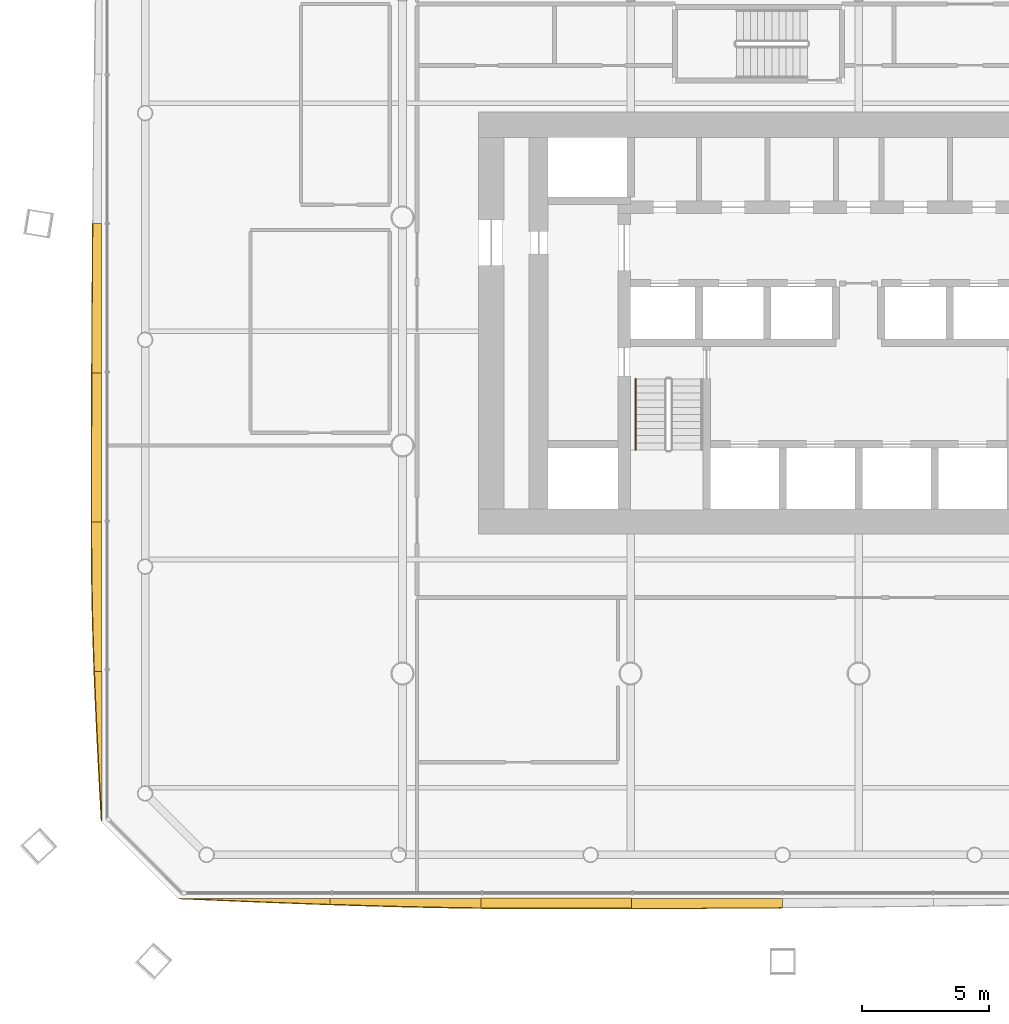
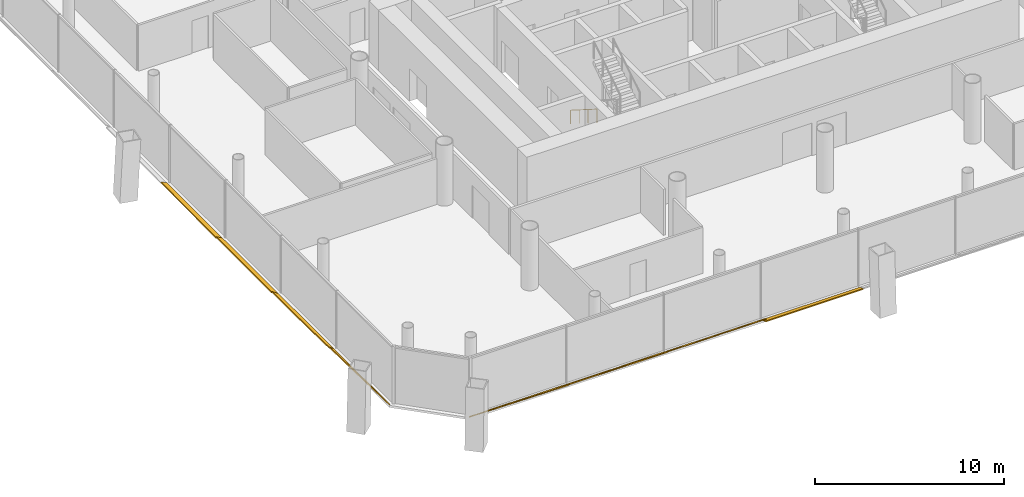
# One storey, part 17 of 21: 8 shading devices, 1 railing.
"""IFC4 building model written with IfcOpenShell, lengths in metres."""

from ifc_helpers import new_model, si_unit, direction, frame, origin, origin_2d, place, context, subcontext, project, spatial, polyline, circle, outline, extrude, material, layer, layer_set, type_object, element, save


model = new_model("IFC4")

# Units and contexts
model_context = context("Model", 3, precision=1e-05, world=origin(), true_north=direction((0.0, 1.0)))
body_context = subcontext(model_context, "Body", "Model", "MODEL_VIEW")
ifc_project = project(units=[si_unit("LENGTHUNIT", "METRE"), si_unit("AREAUNIT", "SQUARE_METRE"), si_unit("VOLUMEUNIT", "CUBIC_METRE"), si_unit("PLANEANGLEUNIT", "RADIAN"), si_unit("MASSUNIT", "GRAM", prefix="KILO")], contexts=[model_context])

# Site, building, storey
site_placement = place(None, origin())
site = spatial("IfcSite", under=ifc_project, at=site_placement, CompositionType="ELEMENT")
building_placement = place(site_placement, origin())
building = spatial("IfcBuilding", under=site, at=building_placement, Name="Tskaro Facet Tower", CompositionType="ELEMENT")
storey_placement = place(building_placement, frame((0.0, 0.0, 42.0)))
storey = spatial("IfcBuildingStorey", under=building, at=storey_placement, Name="L09", CompositionType="ELEMENT", Elevation=42.0)

# Shading devices
ifc_material_1 = material(Name="Bronze anodised aluminium 6063-T6", Category="aluminium")
ifc_layer = layer(ifc_material_1, 0.06005859375, Name="Bronze anodised aluminium 6063-T6")
ifc_layer_set = layer_set([ifc_layer], Name="Bronze anodised aluminium 6063-T6")
shading_device_type = type_object("IfcShadingDeviceType", Name="Bronze sun blade (FN1)", PredefinedType="USERDEFINED", material=ifc_layer_set)
shading_device_1_placement = place(storey_placement, frame((-26.81689453125, -26.8740234375, 0.052001953125), z_axis=(-3.9782023e-05, 0.499534604439, 0.866293932442), x_axis=(0.999999999209, 1.9872497e-05, 3.4462925e-05)))
element("IfcShadingDevice", 1, at=shading_device_1_placement, inside=storey, type_object=shading_device_type, Name="Fin blade south 1", ObjectType="FIN", PredefinedType="USERDEFINED", context=body_context, shape_type="SweptSolid", body=[
    extrude(outline(polyline([(0.0, 0.0), (5.954101557788492, -2.017328077894324e-20), (5.95410156725189, -0.2718135074285527), (5.209960935463617, -0.24183345312894022), (4.46557616691924, -0.21021854350382327), (3.721191405805682, -0.1773022327861027), (2.977050779482266, -0.14317406182741238), (2.232666010261495, -0.10816748486065314), (1.4885253878067815, -0.07240445857645841), (0.7441406211651455, -0.03630797805936288), (0.0, 0.0)])), origin(), (0.0, 0.0, -1.0), 0.06005859375),
])
shading_device_2_placement = place(storey_placement, frame((-20.86279296875, -26.86962890625, 0.049072265625), z_axis=(6.092133e-06, 0.573784491429, 0.819006323149), x_axis=(0.999999999981, -3.495571e-06, -4.989495e-06)))
element("IfcShadingDevice", 2, at=shading_device_2_placement, inside=storey, type_object=shading_device_type, Name="Fin blade south 2", ObjectType="FIN", PredefinedType="USERDEFINED", context=body_context, shape_type="SweptSolid", body=[
    extrude(outline(polyline([(0.0, 0.0), (5.954345703014505, 0.0), (5.954345702903096, -0.4620580465352414), (5.209960937992803, -0.44945750934869444), (4.465820311628818, -0.43381698766423576), (3.7214355463395172, -0.41559625552435875), (2.977050781896488, -0.3945953602134472), (2.232910156488448, -0.3710944699402119), (1.4885253905722284, -0.3454934901358855), (0.7443847657625472, -0.31745238398049613), (-7.734520462914109e-10, -0.28745127239837104), (0.0, 0.0)])), origin(), (0.0, 0.0, -1.0), 0.06005859375),
])
shading_device_3_placement = place(storey_placement, frame((-14.908447265625, -26.865478515625, 0.0458984375), z_axis=(9.623515e-06, 0.642903480409, 0.765947201043), x_axis=(0.999999999954, -6.186991e-06, -7.371104e-06)))
element("IfcShadingDevice", 3, at=shading_device_3_placement, inside=storey, type_object=shading_device_type, Name="Fin blade south 3", ObjectType="FIN", PredefinedType="USERDEFINED", context=body_context, shape_type="SweptSolid", body=[
    extrude(outline(polyline([(0.0, 0.0), (5.95410156222429, -5.04332019473581e-21), (5.954101563395129, -0.5105248275969676), (5.209960936405956, -0.5129325313983885), (4.46557617088047, -0.514839318656363), (3.7214355465581543, -0.516058190542503), (2.9770507806785345, -0.5164021482284202), (2.7626953119384603, -0.5164021482284202), (2.232910156291173, -0.5157142328565858), (1.4885253908596414, -0.5115567006547194), (0.7441406262303352, -0.5044605081371267), (7.250711042060639e-12, -0.49405165764703113), (0.0, 0.0)])), origin(), (0.0, 0.0, -1.0), 0.06005859375),
])
shading_device_4_placement = place(storey_placement, frame((-8.954345703125, -26.883544921875, 0.056396484375), z_axis=(-7.30497e-06, 0.341956650434, 0.939715727851), x_axis=(0.999999999973, 2.497983e-06, 6.864596e-06)))
element("IfcShadingDevice", 4, at=shading_device_4_placement, inside=storey, type_object=shading_device_type, Name="Fin blade south 4", ObjectType="FIN", PredefinedType="USERDEFINED", context=body_context, shape_type="SweptSolid", body=[
    extrude(outline(polyline([(0.0, 0.0), (5.954345702966131, 0.0), (5.954345703703752, -0.38168681939381605), (5.2099609374792655, -0.38763142753461083), (4.465820312489631, -0.39334661289027967), (3.7214355470286544, -0.3982900443802083), (2.977294921126604, -0.4029205675746489), (2.232910156429137, -0.40686282241371147), (1.4887695312905964, -0.41049216895728596), (0.744384765070854, -0.4135791844202464), (7.082993161423237e-11, -0.41620735431295475), (0.0, 0.0)])), origin(), (0.0, 0.0, -1.0), 0.06005859375),
])
shading_device_5_placement = place(storey_placement, frame((-29.878662109375, -0.239013671875, 0.054443359375), z_axis=(0.422555478764, 1.617902e-06, 0.906337060571), x_axis=(6.83654e-07, -0.999999999999, 1.466365e-06)))
element("IfcShadingDevice", 5, at=shading_device_5_placement, inside=storey, type_object=shading_device_type, Name="Fin blade west 5", ObjectType="FIN", PredefinedType="USERDEFINED", context=body_context, shape_type="SweptSolid", body=[
    extrude(outline(polyline([(0.0, 0.0), (5.894531249992285, 6.241077721712594e-22), (5.894531250048789, -0.4199651636946721), (5.157714843797373, -0.41592391753746266), (4.420898437354865, -0.41155823472514175), (3.68408203141308, -0.4065287308235348), (2.9472656249222045, -0.4010716273081337), (2.2104492185982356, -0.39539325009630394), (1.4736328126080824, -0.3892723254916168), (0.7368164062357457, -0.3825025275767068), (3.0316699937671256e-11, -0.37551145596536806), (0.0, 0.0)])), origin(), (0.0, 0.0, -1.0), 0.06005859375),
])
shading_device_6_placement = place(storey_placement, frame((-29.8740234375, -6.133544921875, 0.052001953125), z_axis=(0.499922735931, -3.892958e-06, 0.866070007611), x_axis=(-1.946178e-06, -0.999999999992, -3.371574e-06)))
element("IfcShadingDevice", 6, at=shading_device_6_placement, inside=storey, type_object=shading_device_type, Name="Fin blade west 6", ObjectType="FIN", PredefinedType="USERDEFINED", context=body_context, shape_type="SweptSolid", body=[
    extrude(outline(polyline([(0.0, 0.0), (5.894531249955334, -2.4964310886850375e-21), (5.894531250049783, -0.4566555591895064), (5.157714844153364, -0.45632206486734994), (4.4208984376546585, -0.4552321904771298), (3.6840820315039506, -0.4538088217647533), (2.9472656244029602, -0.4519625673064695), (2.2104492184731055, -0.4496607670768264), (1.4736328124161062, -0.44681402965207323), (0.736816406231963, -0.44342235503221), (-7.932427094410248e-11, -0.43948574321723677), (0.0, 0.0)])), origin(), (0.0, 0.0, -1.0), 0.06005859375),
])
shading_device_7_placement = place(storey_placement, frame((-29.86962890625, -12.028076171875, 0.049072265625), z_axis=(0.573799328992, -3.168281e-06, 0.818995927974), x_axis=(-1.817957e-06, -0.999999999995, -2.594809e-06)))
element("IfcShadingDevice", 7, at=shading_device_7_placement, inside=storey, type_object=shading_device_type, Name="Fin blade west 7", ObjectType="FIN", PredefinedType="USERDEFINED", context=body_context, shape_type="SweptSolid", body=[
    extrude(outline(polyline([(0.0, 0.0), (5.894531249970416, 1.2482155443425188e-21), (5.894531250110083, -0.3502336579925002), (5.157714843841993, -0.38213490651991566), (4.420898437505505, -0.4101760131956045), (3.68408203084644, -0.4338169899373032), (2.947265624942137, -0.4531176991959358), (2.2104492189049174, -0.4676782406160438), (1.4736328127347837, -0.4774986141976273), (0.7368164059878983, -0.4823788697629571), (0.3771972656188794, -0.4829188578452207), (-4.2274308136434116e-12, -0.4829188578452207), (0.0, 0.0)])), origin(), (0.0, 0.0, -1.0), 0.06005859375),
])
shading_device_8_placement = place(storey_placement, frame((-29.865478515625, -17.922607421875, 0.0458984375), z_axis=(0.643262528401, 3.7158703e-05, 0.7656456871), x_axis=(2.3902801e-05, -0.99999999931, 2.8450401e-05)))
element("IfcShadingDevice", 8, at=shading_device_8_placement, inside=storey, type_object=shading_device_type, Name="Fin blade west 8", ObjectType="FIN", PredefinedType="USERDEFINED", context=body_context, shape_type="SweptSolid", body=[
    extrude(outline(polyline([(0.0, 0.0), (5.894287105305676, 0.0), (5.157470701052617, -0.052328154724527454), (4.42065429457905, -0.10396836598398), (3.6838378917206214, -0.15473370856165153), (2.947021483310924, -0.20377919247663578), (2.210449215810434, -0.2509178925122267), (1.473632811584625, -0.29527493998664317), (0.7368164043124311, -0.3366932883840539), (-8.226655577647675e-09, -0.374484994239384), (0.0, 0.0)])), origin(), (0.0, 0.0, -1.0), 0.06005859375),
])

# Railing
ifc_material_2 = material(Name="Stainless steel", Category="steel")
railing_type = type_object("IfcRailingType", Name="RL-HANDRAIL-900", PredefinedType="HANDRAIL", material=ifc_material_2)
railing_placement = place(storey_placement, frame((-8.800048828125, -6.375, 0.17724609375)))
element("IfcRailing", 9, at=railing_placement, inside=storey, type_object=railing_type, Name="L09 ST-1 stair handrail 1", PredefinedType="HANDRAIL", context=body_context, shape_type="SweptSolid", body=[
    extrude(circle(Radius=0.02392578125, at=origin_2d()), frame((0.0, 0.0, 0.8759765625), z_axis=(0.0, -0.844908973607, 0.534910110503), x_axis=(1.0, 0.0, 0.0)), (0.0, 0.0, 1.0), 3.31396484375),
    extrude(circle(Radius=0.02099609375, at=origin_2d()), origin(), (0.0, 0.0, 1.0), 0.851806640625),
    extrude(circle(Radius=0.02099609375, at=origin_2d()), frame((0.0, -0.933349609375, 0.5908203125)), (0.0, 0.0, 1.0), 0.851806640625),
    extrude(circle(Radius=0.02099609375, at=origin_2d()), frame((0.0, -1.86669921875, 1.181884765625)), (0.0, 0.0, 1.0), 0.851806640625),
    extrude(circle(Radius=0.02099609375, at=origin_2d()), frame((0.0, -2.800048828125, 1.772705078125)), (0.0, 0.0, 1.0), 0.851806640625),
])

save(model, "model.ifc")
